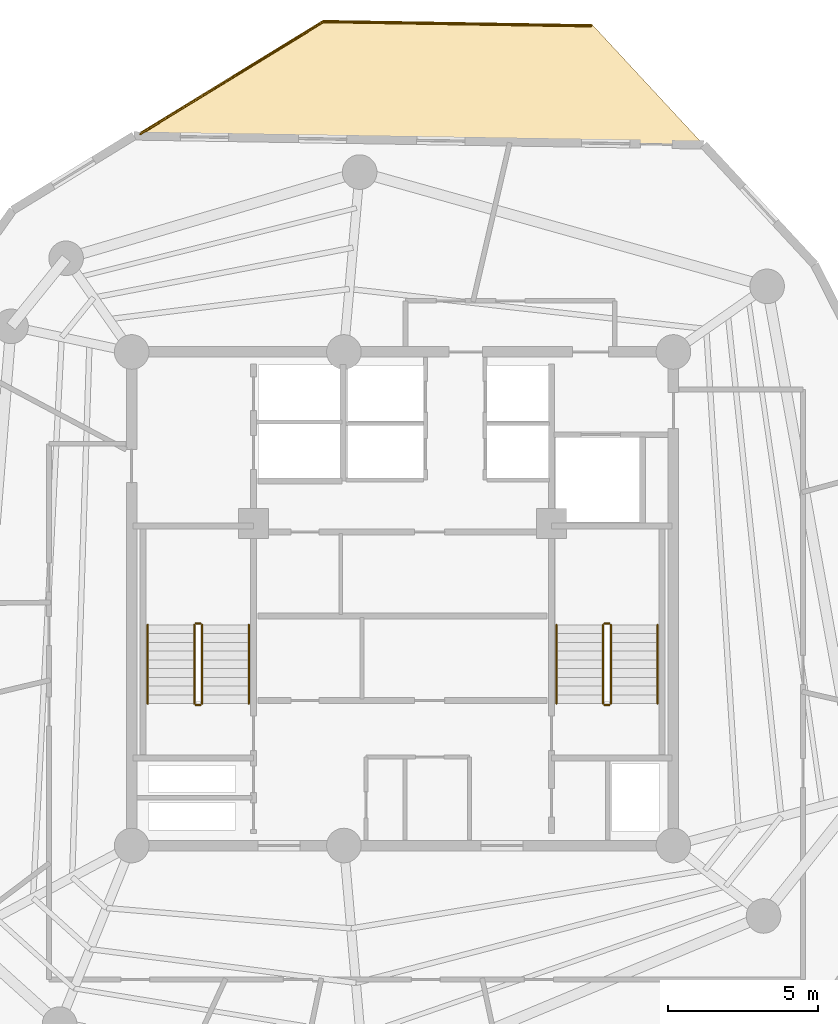
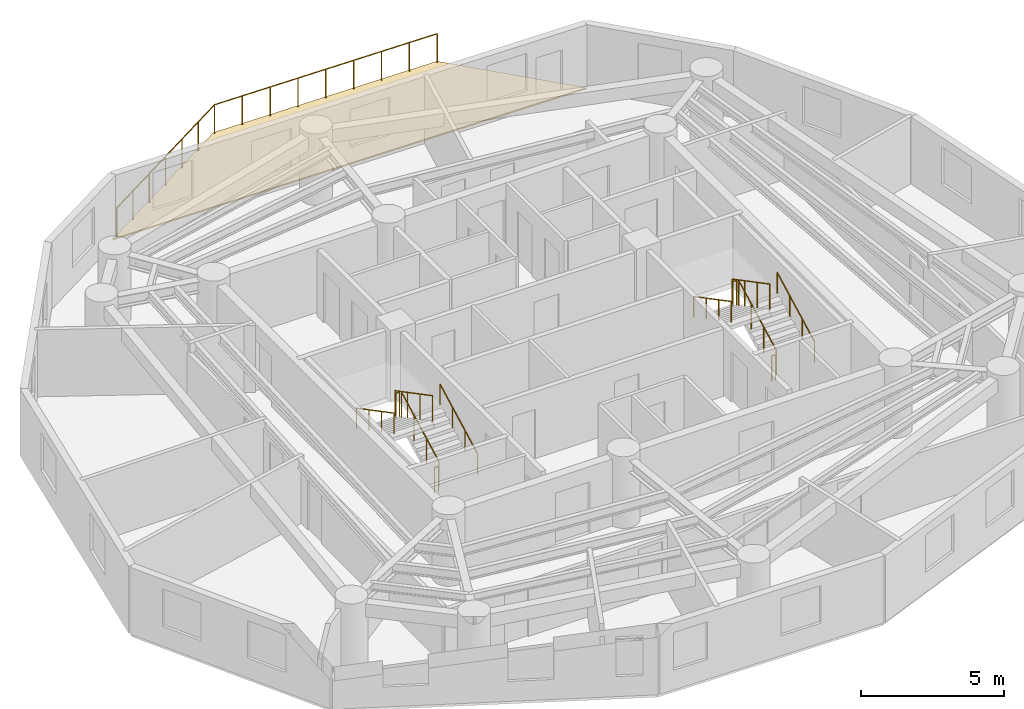
# One storey, part 7 of 7: 14 railings, 1 covering.
"""IFC4 building model written with IfcOpenShell, lengths in metres."""

from ifc_helpers import new_model, si_unit, direction, frame, origin, origin_2d, place, context, subcontext, project, spatial, polyline, circle, outline, extrude, material, layer, layer_set, type_object, element, save


model = new_model("IFC4")

# Units and contexts
model_context = context("Model", 3, precision=1e-05, world=origin(), true_north=direction((0.0, 1.0)))
body_context = subcontext(model_context, "Body", "Model", "MODEL_VIEW")
ifc_project = project(units=[si_unit("LENGTHUNIT", "METRE"), si_unit("AREAUNIT", "SQUARE_METRE"), si_unit("VOLUMEUNIT", "CUBIC_METRE"), si_unit("PLANEANGLEUNIT", "RADIAN"), si_unit("MASSUNIT", "GRAM", prefix="KILO")], contexts=[model_context])

# Site, building, storey
site_placement = place(None, origin())
site = spatial("IfcSite", under=ifc_project, at=site_placement, CompositionType="ELEMENT")
building_placement = place(site_placement, origin())
building = spatial("IfcBuilding", under=site, at=building_placement, Name="Karkom Vertical University and Central Library", CompositionType="ELEMENT")
storey_placement = place(building_placement, frame((0.0, 0.0, 253.5)))
storey = spatial("IfcBuildingStorey", under=building, at=storey_placement, Name="L75", CompositionType="ELEMENT", Elevation=253.5)

# Covering
ifc_material_1 = material(Name="EPDM membrane with Kota stone ballast roofing", Category="masonry")
ifc_layer_1 = layer(ifc_material_1, 0.080078125)
ifc_layer_set_1 = layer_set([ifc_layer_1], Name="EPDM membrane with Kota stone ballast roofing")
covering_type = type_object("IfcCoveringType", Name="ENV-COV-ROOF", PredefinedType="ROOFING", material=ifc_layer_set_1)
covering_placement = place(storey_placement, origin())
element("IfcCovering", 1, at=covering_placement, inside=storey, type_object=covering_type, Name="Level 75 Spiral Sky Garden Waterproofing Covering", PredefinedType="ROOFING", context=body_context, shape_type="SweptSolid", body=[
    extrude(outline(polyline([(38.505615234375, 41.580078125), (34.789306640625, 45.589599609375), (25.8583984375, 45.730712890625), (19.57421875, 41.87939453125), (38.505615234375, 41.580078125)])), origin(), (0.0, 0.0, 1.0), 0.06005859375),
])

# Railings
ifc_material_2 = material(Name="Architectural painted steel & laminated glass balustrade", Category="steel")
ifc_layer_2 = layer(ifc_material_2, 0.090087890625)
ifc_layer_set_2 = layer_set([ifc_layer_2], Name="Architectural painted steel & laminated glass balustrade")
railing_type_1 = type_object("IfcRailingType", Name="ENV-RL-BAL1300", PredefinedType="BALUSTRADE", material=ifc_layer_set_2)
railing_1_placement = place(storey_placement, frame((19.781494140625, 41.93603515625, 0.0)))
element("IfcRailing", 2, at=railing_1_placement, inside=storey, type_object=railing_type_1, Name="Level 75 Planted Terrace Safety Balustrade 01", PredefinedType="BALUSTRADE", context=body_context, shape_type="SweptSolid", body=[
    extrude(circle(Radius=0.02392578125, at=origin_2d()), frame((0.0, 0.0, 1.27587890625), z_axis=(0.852623345158, 0.522526010158, 0.0), x_axis=(-0.522526010158, 0.852623345158, 0.0)), (0.0, 0.0, 1.0), 7.146728515625),
    extrude(circle(Radius=0.02099609375, at=origin_2d()), origin(), (0.0, 0.0, 1.0), 1.251953125),
    extrude(circle(Radius=0.02099609375, at=origin_2d()), frame((1.015625, 0.622314453125, 0.0)), (0.0, 0.0, 1.0), 1.251953125),
    extrude(circle(Radius=0.02099609375, at=origin_2d()), frame((2.03125, 1.244873046875, 0.0)), (0.0, 0.0, 1.0), 1.251953125),
    extrude(circle(Radius=0.02099609375, at=origin_2d()), frame((3.046875, 1.8671875, 0.0)), (0.0, 0.0, 1.0), 1.251953125),
    extrude(circle(Radius=0.02099609375, at=origin_2d()), frame((4.062255859375, 2.489501953125, 0.0)), (0.0, 0.0, 1.0), 1.251953125),
    extrude(circle(Radius=0.02099609375, at=origin_2d()), frame((5.077880859375, 3.112060546875, 0.0)), (0.0, 0.0, 1.0), 1.251953125),
    extrude(circle(Radius=0.02099609375, at=origin_2d()), frame((6.093505859375, 3.734375, 0.0)), (0.0, 0.0, 1.0), 1.251953125),
])
railing_2_placement = place(storey_placement, frame((25.875, 45.67041015625, 0.0)))
element("IfcRailing", 3, at=railing_2_placement, inside=storey, type_object=railing_type_1, Name="Level 75 Planted Terrace Safety Balustrade 02", PredefinedType="BALUSTRADE", context=body_context, shape_type="SweptSolid", body=[
    extrude(circle(Radius=0.02392578125, at=origin_2d()), frame((0.0, 0.0, 1.27587890625), z_axis=(0.99987484874, -0.015820456897, 0.0), x_axis=(0.015820456897, 0.99987484874, 0.0)), (0.0, 0.0, 1.0), 8.888916015625),
    extrude(circle(Radius=0.02099609375, at=origin_2d()), origin(), (0.0, 0.0, 1.0), 1.251953125),
    extrude(circle(Radius=0.02099609375, at=origin_2d()), frame((1.11083984375, -0.017578125, 0.0)), (0.0, 0.0, 1.0), 1.251953125),
    extrude(circle(Radius=0.02099609375, at=origin_2d()), frame((2.221923828125, -0.03515625, 0.0)), (0.0, 0.0, 1.0), 1.251953125),
    extrude(circle(Radius=0.02099609375, at=origin_2d()), frame((3.3330078125, -0.052734375, 0.0)), (0.0, 0.0, 1.0), 1.251953125),
    extrude(circle(Radius=0.02099609375, at=origin_2d()), frame((4.44384765625, -0.0703125, 0.0)), (0.0, 0.0, 1.0), 1.251953125),
    extrude(circle(Radius=0.02099609375, at=origin_2d()), frame((5.5546875, -0.087890625, 0.0)), (0.0, 0.0, 1.0), 1.251953125),
    extrude(circle(Radius=0.02099609375, at=origin_2d()), frame((6.665771484375, -0.10546875, 0.0)), (0.0, 0.0, 1.0), 1.251953125),
    extrude(circle(Radius=0.02099609375, at=origin_2d()), frame((7.77685546875, -0.123046875, 0.0)), (0.0, 0.0, 1.0), 1.251953125),
    extrude(circle(Radius=0.02099609375, at=origin_2d()), frame((8.8876953125, -0.140625, 0.0)), (0.0, 0.0, 1.0), 1.251953125),
])
ifc_material_3 = material(Name="Painted galvanised steel balustrade", Category="steel")
ifc_layer_3 = layer(ifc_material_3, 0.06005859375)
ifc_layer_set_3 = layer_set([ifc_layer_3], Name="Painted galvanised steel balustrade")
railing_type_2 = type_object("IfcRailingType", Name="INT-RL-GUARD1100", PredefinedType="GUARDRAIL", material=ifc_layer_set_3)
railing_3_placement = place(storey_placement, frame((21.840087890625, 23.02001953125, 0.152587890625)))
element("IfcRailing", 4, at=railing_3_placement, inside=storey, type_object=railing_type_2, Name="Level 75 ST-1 stair guard 1", PredefinedType="GUARDRAIL", context=body_context, shape_type="SweptSolid", body=[
    extrude(circle(Radius=0.02392578125, at=origin_2d()), frame((0.0, 0.0, 1.076171875), z_axis=(0.0, 0.885099554253, 0.465401739426), x_axis=(-1.0, 0.0, 0.0)), (0.0, 0.0, 1.0), 2.94873046875),
    extrude(circle(Radius=0.02099609375, at=origin_2d()), origin(), (0.0, 0.0, 1.0), 1.052001953125),
    extrude(circle(Radius=0.02099609375, at=origin_2d()), frame((0.0, 0.869873046875, 0.45751953125)), (0.0, 0.0, 1.0), 1.052001953125),
    extrude(circle(Radius=0.02099609375, at=origin_2d()), frame((0.0, 1.739990234375, 0.914794921875)), (0.0, 0.0, 1.0), 1.052001953125),
    extrude(circle(Radius=0.02099609375, at=origin_2d()), frame((0.0, 2.60986328125, 1.372314453125)), (0.0, 0.0, 1.0), 1.052001953125),
])
railing_4_placement = place(storey_placement, frame((21.7900390625, 25.679931640625, 1.52490234375)))
element("IfcRailing", 5, at=railing_4_placement, inside=storey, type_object=railing_type_2, Name="Level 75 ST-1 stair guard 2", PredefinedType="GUARDRAIL", context=body_context, shape_type="SweptSolid", body=[
    extrude(circle(Radius=0.02392578125, at=origin_2d()), frame((0.0, 0.0, 1.076171875), z_axis=(-1.0, 0.0, 0.0), x_axis=(0.0, -1.0, 0.0)), (0.0, 0.0, 1.0), 0.16015625),
    extrude(circle(Radius=0.02099609375, at=origin_2d()), origin(), (0.0, 0.0, 1.0), 1.052001953125),
    extrude(circle(Radius=0.02099609375, at=origin_2d()), frame((-0.16015625, 0.0, 0.0)), (0.0, 0.0, 1.0), 1.052001953125),
])
railing_5_placement = place(storey_placement, frame((21.580078125, 25.6298828125, 1.677490234375)))
element("IfcRailing", 6, at=railing_5_placement, inside=storey, type_object=railing_type_2, Name="Level 75 ST-1 stair guard 3", PredefinedType="GUARDRAIL", context=body_context, shape_type="SweptSolid", body=[
    extrude(circle(Radius=0.02392578125, at=origin_2d()), frame((0.0, 0.0, 1.076171875), z_axis=(0.0, -0.885065446896, 0.46546659892), x_axis=(1.0, 0.0, 0.0)), (0.0, 0.0, 1.0), 2.94873046875),
    extrude(circle(Radius=0.02099609375, at=origin_2d()), origin(), (0.0, 0.0, 1.0), 1.052001953125),
    extrude(circle(Radius=0.02099609375, at=origin_2d()), frame((0.0, -0.869873046875, 0.45751953125)), (0.0, 0.0, 1.0), 1.052001953125),
    extrude(circle(Radius=0.02099609375, at=origin_2d()), frame((0.0, -1.739990234375, 0.9150390625)), (0.0, 0.0, 1.0), 1.052001953125),
    extrude(circle(Radius=0.02099609375, at=origin_2d()), frame((0.0, -2.60986328125, 1.37255859375)), (0.0, 0.0, 1.0), 1.052001953125),
])
railing_6_placement = place(storey_placement, frame((21.7900390625, 22.969970703125, 0.0)))
element("IfcRailing", 7, at=railing_6_placement, inside=storey, type_object=railing_type_2, Name="Level 75 ST-1 stair guard 4", PredefinedType="GUARDRAIL", context=body_context, shape_type="SweptSolid", body=[
    extrude(circle(Radius=0.02392578125, at=origin_2d()), frame((0.0, 0.0, 1.076171875), z_axis=(-1.0, 0.0, 0.0), x_axis=(0.0, -1.0, 0.0)), (0.0, 0.0, 1.0), 0.16015625),
    extrude(circle(Radius=0.02099609375, at=origin_2d()), origin(), (0.0, 0.0, 1.0), 1.052001953125),
    extrude(circle(Radius=0.02099609375, at=origin_2d()), frame((-0.16015625, 0.0, 0.0)), (0.0, 0.0, 1.0), 1.052001953125),
])
railing_7_placement = place(storey_placement, frame((35.419921875, 23.02001953125, 0.152587890625)))
element("IfcRailing", 8, at=railing_7_placement, inside=storey, type_object=railing_type_2, Name="Level 75 ST-2 stair guard 1", PredefinedType="GUARDRAIL", context=body_context, shape_type="SweptSolid", body=[
    extrude(circle(Radius=0.02392578125, at=origin_2d()), frame((0.0, 0.0, 1.076171875), z_axis=(0.0, 0.885099554253, 0.465401739426), x_axis=(-1.0, 0.0, 0.0)), (0.0, 0.0, 1.0), 2.94873046875),
    extrude(circle(Radius=0.02099609375, at=origin_2d()), origin(), (0.0, 0.0, 1.0), 1.052001953125),
    extrude(circle(Radius=0.02099609375, at=origin_2d()), frame((0.0, 0.869873046875, 0.45751953125)), (0.0, 0.0, 1.0), 1.052001953125),
    extrude(circle(Radius=0.02099609375, at=origin_2d()), frame((0.0, 1.739990234375, 0.914794921875)), (0.0, 0.0, 1.0), 1.052001953125),
    extrude(circle(Radius=0.02099609375, at=origin_2d()), frame((0.0, 2.60986328125, 1.372314453125)), (0.0, 0.0, 1.0), 1.052001953125),
])
railing_8_placement = place(storey_placement, frame((35.3701171875, 25.679931640625, 1.52490234375)))
element("IfcRailing", 9, at=railing_8_placement, inside=storey, type_object=railing_type_2, Name="Level 75 ST-2 stair guard 2", PredefinedType="GUARDRAIL", context=body_context, shape_type="SweptSolid", body=[
    extrude(circle(Radius=0.02392578125, at=origin_2d()), frame((0.0, 0.0, 1.076171875), z_axis=(-1.0, 0.0, 0.0), x_axis=(0.0, -1.0, 0.0)), (0.0, 0.0, 1.0), 0.16015625),
    extrude(circle(Radius=0.02099609375, at=origin_2d()), origin(), (0.0, 0.0, 1.0), 1.052001953125),
    extrude(circle(Radius=0.02099609375, at=origin_2d()), frame((-0.16015625, 0.0, 0.0)), (0.0, 0.0, 1.0), 1.052001953125),
])
railing_9_placement = place(storey_placement, frame((35.159912109375, 25.6298828125, 1.677490234375)))
element("IfcRailing", 10, at=railing_9_placement, inside=storey, type_object=railing_type_2, Name="Level 75 ST-2 stair guard 3", PredefinedType="GUARDRAIL", context=body_context, shape_type="SweptSolid", body=[
    extrude(circle(Radius=0.02392578125, at=origin_2d()), frame((0.0, 0.0, 1.076171875), z_axis=(0.0, -0.885065446896, 0.46546659892), x_axis=(1.0, 0.0, 0.0)), (0.0, 0.0, 1.0), 2.94873046875),
    extrude(circle(Radius=0.02099609375, at=origin_2d()), origin(), (0.0, 0.0, 1.0), 1.052001953125),
    extrude(circle(Radius=0.02099609375, at=origin_2d()), frame((0.0, -0.869873046875, 0.45751953125)), (0.0, 0.0, 1.0), 1.052001953125),
    extrude(circle(Radius=0.02099609375, at=origin_2d()), frame((0.0, -1.739990234375, 0.9150390625)), (0.0, 0.0, 1.0), 1.052001953125),
    extrude(circle(Radius=0.02099609375, at=origin_2d()), frame((0.0, -2.60986328125, 1.37255859375)), (0.0, 0.0, 1.0), 1.052001953125),
])
railing_10_placement = place(storey_placement, frame((35.3701171875, 22.969970703125, 0.0)))
element("IfcRailing", 11, at=railing_10_placement, inside=storey, type_object=railing_type_2, Name="Level 75 ST-2 stair guard 4", PredefinedType="GUARDRAIL", context=body_context, shape_type="SweptSolid", body=[
    extrude(circle(Radius=0.02392578125, at=origin_2d()), frame((0.0, 0.0, 1.076171875), z_axis=(-1.0, 0.0, 0.0), x_axis=(0.0, -1.0, 0.0)), (0.0, 0.0, 1.0), 0.16015625),
    extrude(circle(Radius=0.02099609375, at=origin_2d()), origin(), (0.0, 0.0, 1.0), 1.052001953125),
    extrude(circle(Radius=0.02099609375, at=origin_2d()), frame((-0.16015625, 0.0, 0.0)), (0.0, 0.0, 1.0), 1.052001953125),
])
ifc_material_4 = material(Name="Brushed stainless-steel tubular handrail", Category="steel")
ifc_layer_4 = layer(ifc_material_4, 0.048095703125)
ifc_layer_set_4 = layer_set([ifc_layer_4], Name="Brushed stainless-steel tubular handrail")
railing_type_3 = type_object("IfcRailingType", Name="INT-RL-HAND920", PredefinedType="HANDRAIL", material=ifc_layer_set_4)
railing_11_placement = place(storey_placement, frame((23.389892578125, 23.02001953125, 0.152587890625)))
element("IfcRailing", 12, at=railing_11_placement, inside=storey, type_object=railing_type_3, Name="Level 75 ST-1 stair handrail 1", PredefinedType="HANDRAIL", context=body_context, shape_type="SweptSolid", body=[
    extrude(circle(Radius=0.02392578125, at=origin_2d()), frame((0.0, 0.0, 0.8759765625), z_axis=(0.0, 0.885099554253, 0.465401739426), x_axis=(-1.0, 0.0, 0.0)), (0.0, 0.0, 1.0), 2.94873046875),
    extrude(circle(Radius=0.02099609375, at=origin_2d()), origin(), (0.0, 0.0, 1.0), 0.851806640625),
    extrude(circle(Radius=0.02099609375, at=origin_2d()), frame((0.0, 0.869873046875, 0.45751953125)), (0.0, 0.0, 1.0), 0.851806640625),
    extrude(circle(Radius=0.02099609375, at=origin_2d()), frame((0.0, 1.739990234375, 0.914794921875)), (0.0, 0.0, 1.0), 0.851806640625),
    extrude(circle(Radius=0.02099609375, at=origin_2d()), frame((0.0, 2.60986328125, 1.372314453125)), (0.0, 0.0, 1.0), 0.851806640625),
])
railing_12_placement = place(storey_placement, frame((20.030029296875, 25.6298828125, 1.677490234375)))
element("IfcRailing", 13, at=railing_12_placement, inside=storey, type_object=railing_type_3, Name="Level 75 ST-1 stair handrail 2", PredefinedType="HANDRAIL", context=body_context, shape_type="SweptSolid", body=[
    extrude(circle(Radius=0.02392578125, at=origin_2d()), frame((0.0, 0.0, 0.8759765625), z_axis=(0.0, -0.885065446896, 0.46546659892), x_axis=(1.0, 0.0, 0.0)), (0.0, 0.0, 1.0), 2.94873046875),
    extrude(circle(Radius=0.02099609375, at=origin_2d()), origin(), (0.0, 0.0, 1.0), 0.851806640625),
    extrude(circle(Radius=0.02099609375, at=origin_2d()), frame((0.0, -0.869873046875, 0.45751953125)), (0.0, 0.0, 1.0), 0.851806640625),
    extrude(circle(Radius=0.02099609375, at=origin_2d()), frame((0.0, -1.739990234375, 0.9150390625)), (0.0, 0.0, 1.0), 0.851806640625),
    extrude(circle(Radius=0.02099609375, at=origin_2d()), frame((0.0, -2.60986328125, 1.37255859375)), (0.0, 0.0, 1.0), 0.851806640625),
])
railing_13_placement = place(storey_placement, frame((36.969970703125, 23.02001953125, 0.152587890625)))
element("IfcRailing", 14, at=railing_13_placement, inside=storey, type_object=railing_type_3, Name="Level 75 ST-2 stair handrail 1", PredefinedType="HANDRAIL", context=body_context, shape_type="SweptSolid", body=[
    extrude(circle(Radius=0.02392578125, at=origin_2d()), frame((0.0, 0.0, 0.8759765625), z_axis=(0.0, 0.885099554253, 0.465401739426), x_axis=(-1.0, 0.0, 0.0)), (0.0, 0.0, 1.0), 2.94873046875),
    extrude(circle(Radius=0.02099609375, at=origin_2d()), origin(), (0.0, 0.0, 1.0), 0.851806640625),
    extrude(circle(Radius=0.02099609375, at=origin_2d()), frame((0.0, 0.869873046875, 0.45751953125)), (0.0, 0.0, 1.0), 0.851806640625),
    extrude(circle(Radius=0.02099609375, at=origin_2d()), frame((0.0, 1.739990234375, 0.914794921875)), (0.0, 0.0, 1.0), 0.851806640625),
    extrude(circle(Radius=0.02099609375, at=origin_2d()), frame((0.0, 2.60986328125, 1.372314453125)), (0.0, 0.0, 1.0), 0.851806640625),
])
railing_14_placement = place(storey_placement, frame((33.610107421875, 25.6298828125, 1.677490234375)))
element("IfcRailing", 15, at=railing_14_placement, inside=storey, type_object=railing_type_3, Name="Level 75 ST-2 stair handrail 2", PredefinedType="HANDRAIL", context=body_context, shape_type="SweptSolid", body=[
    extrude(circle(Radius=0.02392578125, at=origin_2d()), frame((0.0, 0.0, 0.8759765625), z_axis=(0.0, -0.885065446896, 0.46546659892), x_axis=(1.0, 0.0, 0.0)), (0.0, 0.0, 1.0), 2.94873046875),
    extrude(circle(Radius=0.02099609375, at=origin_2d()), origin(), (0.0, 0.0, 1.0), 0.851806640625),
    extrude(circle(Radius=0.02099609375, at=origin_2d()), frame((0.0, -0.869873046875, 0.45751953125)), (0.0, 0.0, 1.0), 0.851806640625),
    extrude(circle(Radius=0.02099609375, at=origin_2d()), frame((0.0, -1.739990234375, 0.9150390625)), (0.0, 0.0, 1.0), 0.851806640625),
    extrude(circle(Radius=0.02099609375, at=origin_2d()), frame((0.0, -2.60986328125, 1.37255859375)), (0.0, 0.0, 1.0), 0.851806640625),
])

save(model, "model.ifc")
